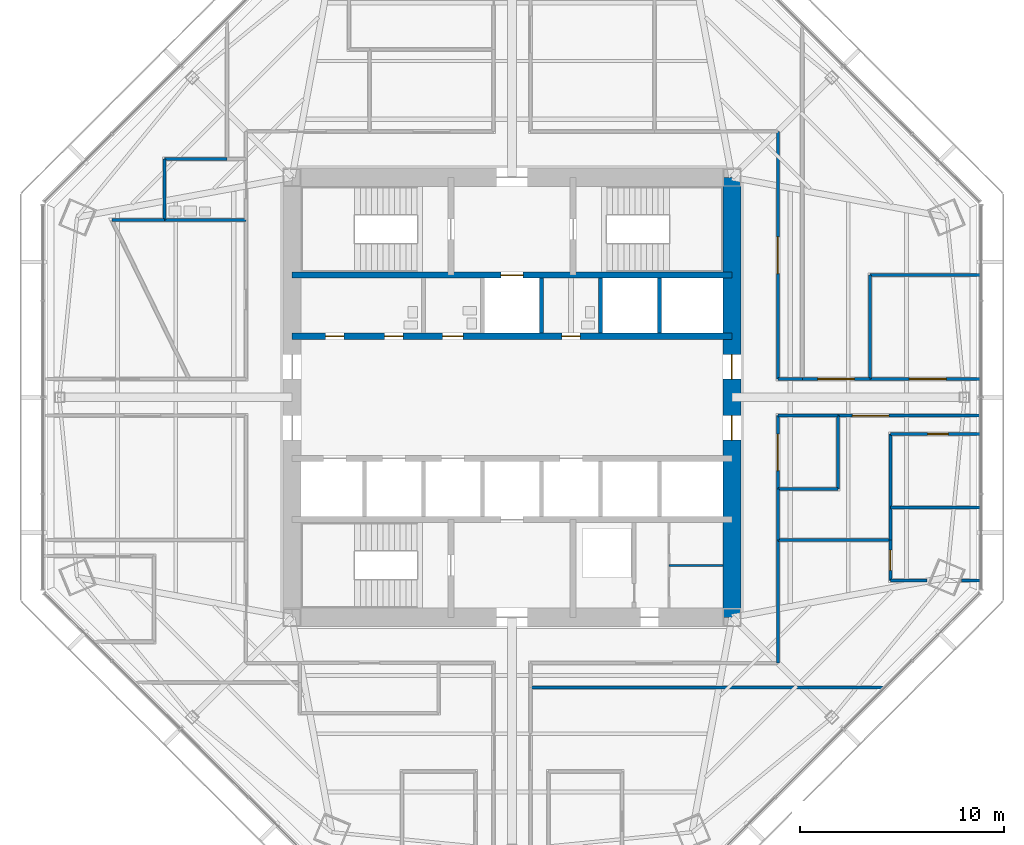
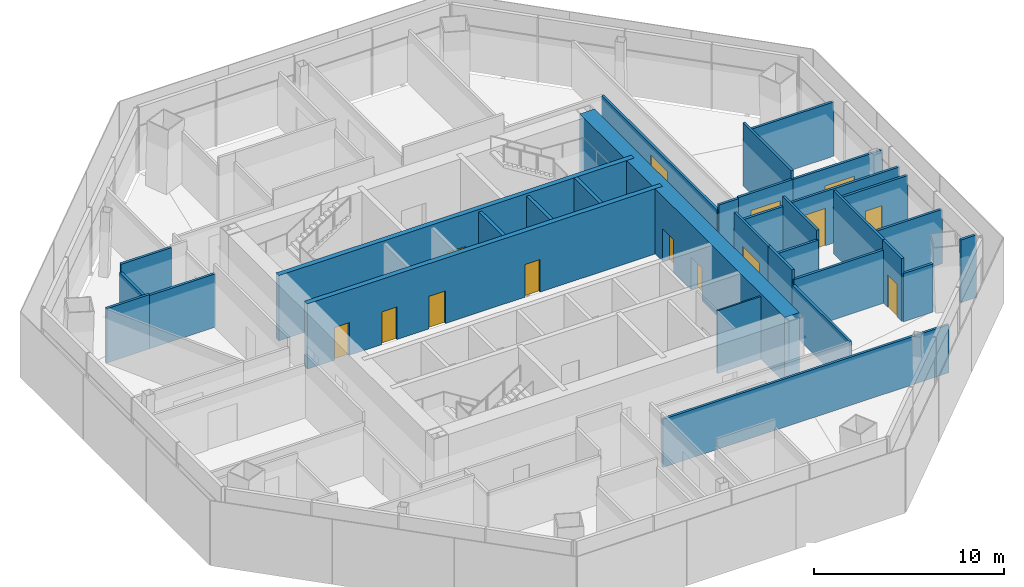
# One storey, part 10 of 15: 32 walls, 14 doors, 14 openings.
"""IFC4 building model written with IfcOpenShell, lengths in metres."""

from ifc_helpers import new_model, si_unit, direction, frame, frame_2d, origin, place, context, subcontext, project, spatial, rectangle, extrude, material, layer, layer_set, type_object, element, fill, save


model = new_model("IFC4")

# Units and contexts
model_context = context("Model", 3, precision=1e-05, world=origin(), true_north=direction((0.0, 1.0)))
body_context = subcontext(model_context, "Body", "Model", "MODEL_VIEW")
ifc_project = project(units=[si_unit("LENGTHUNIT", "METRE"), si_unit("AREAUNIT", "SQUARE_METRE"), si_unit("VOLUMEUNIT", "CUBIC_METRE"), si_unit("PLANEANGLEUNIT", "RADIAN"), si_unit("MASSUNIT", "GRAM", prefix="KILO")], contexts=[model_context])

# Site, building, storey
site_placement = place(None, origin())
site = spatial("IfcSite", under=ifc_project, at=site_placement, CompositionType="ELEMENT")
building_placement = place(site_placement, origin())
building = spatial("IfcBuilding", under=site, at=building_placement, Name="Mashrafa Tower", CompositionType="ELEMENT")
storey_placement = place(building_placement, frame((0.0, 0.0, 176.39990234375)))
storey = spatial("IfcBuildingStorey", under=building, at=storey_placement, Name="L40", CompositionType="ELEMENT", Elevation=176.39990234375)

# Wall, openings, doors
ifc_material_1 = material(Name="Concrete C60/75", Category="concrete")
ifc_layer_1 = layer(ifc_material_1, 0.300048828125)
ifc_layer_set_1 = layer_set([ifc_layer_1], Name="Core wall 300 C60/75")
wall_type_1 = type_object("IfcWallType", Name="Core wall 300 C60/75", PredefinedType="SOLIDWALL", material=ifc_layer_set_1)
wall_1_placement = place(storey_placement, frame((-10.800048828125, 3.0, 0.0), z_axis=(0.0, 0.0, 1.0), x_axis=(1.0, 0.0, 0.0)))
wall_1 = element("IfcWall", 1, at=wall_1_placement, inside=storey, type_object=wall_type_1, Name="Core wall CH-N L40", PredefinedType="SOLIDWALL", context=body_context, shape_type="SweptSolid", body=[
    extrude(rectangle(XDim=21.60009765625, YDim=0.300048828125, at=frame_2d((10.800048828125, 0.0))), origin(), (0.0, 0.0, 1.0), 4.2001953125),
])
opening_1_placement = place(wall_1_placement, frame((1.64990234375, 0.0, 0.0)))
opening_1 = element("IfcOpeningElement", 2, at=opening_1_placement, cuts=wall_1, Name="Opening 40.037", PredefinedType="OPENING", context=body_context, shape_type="SweptSolid", body=[
    extrude(rectangle(XDim=0.89990234375, YDim=2.10009765625, at=frame_2d((0.449951171875, 1.050048828125))), frame((0.0, 0.159912109375, 0.0), z_axis=(0.0, -1.0, 0.0), x_axis=(1.0, 0.0, 0.0)), (0.0, 0.0, 1.0), 0.320068359375),
])
opening_2_placement = place(wall_1_placement, frame((4.550048828125, 0.0, 0.0)))
opening_2 = element("IfcOpeningElement", 3, at=opening_2_placement, cuts=wall_1, Name="Opening 40.038", PredefinedType="OPENING", context=body_context, shape_type="SweptSolid", body=[
    extrude(rectangle(XDim=0.89990234375, YDim=2.10009765625, at=frame_2d((0.449951171875, 1.050048828125))), frame((0.0, 0.159912109375, 0.0), z_axis=(0.0, -1.0, 0.0), x_axis=(1.0, 0.0, 0.0)), (0.0, 0.0, 1.0), 0.320068359375),
])
opening_3_placement = place(wall_1_placement, frame((7.39990234375, 0.0, 0.0)))
opening_3 = element("IfcOpeningElement", 4, at=opening_3_placement, cuts=wall_1, Name="Opening 40.039", PredefinedType="OPENING", context=body_context, shape_type="SweptSolid", body=[
    extrude(rectangle(XDim=1.0, YDim=2.10009765625, at=frame_2d((0.5, 1.050048828125))), frame((0.0, 0.159912109375, 0.0), z_axis=(0.0, -1.0, 0.0), x_axis=(1.0, 0.0, 0.0)), (0.0, 0.0, 1.0), 0.320068359375),
])
opening_4_placement = place(wall_1_placement, frame((13.25, 0.0, 0.0)))
opening_4 = element("IfcOpeningElement", 5, at=opening_4_placement, cuts=wall_1, Name="Opening 40.040", PredefinedType="OPENING", context=body_context, shape_type="SweptSolid", body=[
    extrude(rectangle(XDim=0.89990234375, YDim=2.10009765625, at=frame_2d((0.449951171875, 1.050048828125))), frame((0.0, 0.159912109375, 0.0), z_axis=(0.0, -1.0, 0.0), x_axis=(1.0, 0.0, 0.0)), (0.0, 0.0, 1.0), 0.320068359375),
])
ifc_material_2 = material(Name="Timber door", Category="wood")
door_type_1 = type_object("IfcDoorType", Name="Accessible toilet door 1000 x 2100", OperationType="USERDEFINED", PredefinedType="DOOR", material=ifc_material_2)
door_1_placement = place(opening_3_placement, origin())
door_1 = element("IfcDoor", 6, at=door_1_placement, inside=storey, type_object=door_type_1, Name="Accessible WC L40 door", OperationType="SINGLE_SWING_LEFT", OverallHeight=2.10009765625, OverallWidth=1.0, PredefinedType="DOOR", context=body_context, shape_type="SweptSolid", body=[
    extrude(rectangle(XDim=1.0, YDim=2.10009765625, at=frame_2d((0.5, 1.050048828125))), frame((0.0, 0.02490234375, 0.0), z_axis=(0.0, -1.0, 0.0), x_axis=(1.0, 0.0, 0.0)), (0.0, 0.0, 1.0), 0.050048828125),
])
fill(opening_3, door_1)
ifc_material_3 = material(Name="Timber door", Category="wood")
door_type_2 = type_object("IfcDoorType", Name="Toilet door 900 x 2100", OperationType="USERDEFINED", PredefinedType="DOOR", material=ifc_material_3)
door_2_placement = place(opening_1_placement, origin())
door_2 = element("IfcDoor", 7, at=door_2_placement, inside=storey, type_object=door_type_2, Name="WC Female L40 door", OperationType="SINGLE_SWING_LEFT", OverallHeight=2.10009765625, OverallWidth=0.89990234375, PredefinedType="DOOR", context=body_context, shape_type="SweptSolid", body=[
    extrude(rectangle(XDim=0.89990234375, YDim=2.10009765625, at=frame_2d((0.449951171875, 1.050048828125))), frame((0.0, 0.02490234375, 0.0), z_axis=(0.0, -1.0, 0.0), x_axis=(1.0, 0.0, 0.0)), (0.0, 0.0, 1.0), 0.050048828125),
])
fill(opening_1, door_2)
door_3_placement = place(opening_2_placement, origin())
door_3 = element("IfcDoor", 8, at=door_3_placement, inside=storey, type_object=door_type_2, Name="WC Female L40 door", OperationType="SINGLE_SWING_RIGHT", OverallHeight=2.10009765625, OverallWidth=0.89990234375, PredefinedType="DOOR", context=body_context, shape_type="SweptSolid", body=[
    extrude(rectangle(XDim=0.89990234375, YDim=2.10009765625, at=frame_2d((0.449951171875, 1.050048828125))), frame((0.0, 0.02490234375, 0.0), z_axis=(0.0, -1.0, 0.0), x_axis=(1.0, 0.0, 0.0)), (0.0, 0.0, 1.0), 0.050048828125),
])
fill(opening_2, door_3)
door_4_placement = place(opening_4_placement, origin())
door_4 = element("IfcDoor", 9, at=door_4_placement, inside=storey, type_object=door_type_2, Name="WC Male L40 door", OperationType="SINGLE_SWING_LEFT", OverallHeight=2.10009765625, OverallWidth=0.89990234375, PredefinedType="DOOR", context=body_context, shape_type="SweptSolid", body=[
    extrude(rectangle(XDim=0.89990234375, YDim=2.10009765625, at=frame_2d((0.449951171875, 1.050048828125))), frame((0.0, 0.02490234375, 0.0), z_axis=(0.0, -1.0, 0.0), x_axis=(1.0, 0.0, 0.0)), (0.0, 0.0, 1.0), 0.050048828125),
])
fill(opening_4, door_4)

# Wall, opening, door
wall_2_placement = place(storey_placement, frame((-10.800048828125, 6.0, 0.0), z_axis=(0.0, 0.0, 1.0), x_axis=(1.0, 0.0, 0.0)))
wall_2 = element("IfcWall", 10, at=wall_2_placement, inside=storey, type_object=wall_type_1, Name="Core wall CB-N L40", PredefinedType="SOLIDWALL", context=body_context, shape_type="SweptSolid", body=[
    extrude(rectangle(XDim=21.60009765625, YDim=0.300048828125, at=frame_2d((10.800048828125, 0.0))), origin(), (0.0, 0.0, 1.0), 4.2001953125),
])
opening_5_placement = place(wall_2_placement, frame((10.25, 0.0, 0.0)))
opening_5 = element("IfcOpeningElement", 11, at=opening_5_placement, cuts=wall_2, Name="Opening 40.F1", PredefinedType="OPENING", context=body_context, shape_type="SweptSolid", body=[
    extrude(rectangle(XDim=1.10009765625, YDim=2.10009765625, at=frame_2d((0.550048828125, 1.050048828125))), frame((0.0, 0.159912109375, 0.0), z_axis=(0.0, -1.0, 0.0), x_axis=(1.0, 0.0, 0.0)), (0.0, 0.0, 1.0), 0.320068359375),
])
ifc_material_4 = material(Name="Steel door", Category="steel")
door_type_3 = type_object("IfcDoorType", Name="Lift landing door 1100 x 2100 90 min", OperationType="DOUBLE_DOOR_SLIDING", PredefinedType="DOOR", material=ifc_material_4)
door_5_placement = place(opening_5_placement, origin())
door_5 = element("IfcDoor", 12, at=door_5_placement, inside=storey, type_object=door_type_3, Name="Lift landing door F1 L40", OperationType="DOUBLE_DOOR_SLIDING", OverallHeight=2.10009765625, OverallWidth=1.10009765625, PredefinedType="DOOR", context=body_context, shape_type="SweptSolid", body=[
    extrude(rectangle(XDim=1.10009765625, YDim=2.10009765625, at=frame_2d((0.550048828125, 1.050048828125))), frame((0.0, 0.02490234375, 0.0), z_axis=(0.0, -1.0, 0.0), x_axis=(1.0, 0.0, 0.0)), (0.0, 0.0, 1.0), 0.050048828125),
])
fill(opening_5, door_5)

# Wall, openings, doors
ifc_material_5 = material(Name="Concrete C60/75", Category="concrete")
ifc_layer_2 = layer(ifc_material_5, 0.89990234375)
ifc_layer_set_2 = layer_set([ifc_layer_2], Name="Core wall 900 C60/75")
wall_type_2 = type_object("IfcWallType", Name="Core wall 900 C60/75", PredefinedType="SOLIDWALL", material=ifc_layer_set_2)
wall_3_placement = place(storey_placement, frame((10.800048828125, -10.800048828125, 0.0), z_axis=(0.0, 0.0, 1.0), x_axis=(0.0, 1.0, 0.0)))
wall_3 = element("IfcWall", 13, at=wall_3_placement, inside=storey, type_object=wall_type_2, Name="Core wall CW-E L40", PredefinedType="SOLIDWALL", context=body_context, shape_type="SweptSolid", body=[
    extrude(rectangle(XDim=21.60009765625, YDim=0.89990234375, at=frame_2d((10.800048828125, 0.0))), origin(), (0.0, 0.0, 1.0), 4.2001953125),
])
opening_6_placement = place(wall_3_placement, frame((11.699951171875, 0.0, 0.0)))
opening_6 = element("IfcOpeningElement", 14, at=opening_6_placement, cuts=wall_3, Name="Opening 40.024", PredefinedType="OPENING", context=body_context, shape_type="SweptSolid", body=[
    extrude(rectangle(XDim=1.199951171875, YDim=2.10009765625, at=frame_2d((0.60009765625, 1.050048828125))), frame((0.0, 0.4599609375, 0.0), z_axis=(0.0, -1.0, 0.0), x_axis=(1.0, 0.0, 0.0)), (0.0, 0.0, 1.0), 0.919921875),
])
opening_7_placement = place(wall_3_placement, frame((8.699951171875, 0.0, 0.0)))
opening_7 = element("IfcOpeningElement", 15, at=opening_7_placement, cuts=wall_3, Name="Opening 40.026", PredefinedType="OPENING", context=body_context, shape_type="SweptSolid", body=[
    extrude(rectangle(XDim=1.199951171875, YDim=2.10009765625, at=frame_2d((0.60009765625, 1.050048828125))), frame((0.0, 0.4599609375, 0.0), z_axis=(0.0, -1.0, 0.0), x_axis=(1.0, 0.0, 0.0)), (0.0, 0.0, 1.0), 0.919921875),
])
ifc_material_6 = material(Name="Steel door", Category="steel")
door_type_4 = type_object("IfcDoorType", Name="Lift hall door 1200 x 2100 90 min", OperationType="USERDEFINED", PredefinedType="DOOR", material=ifc_material_6)
door_6_placement = place(opening_6_placement, frame((1.199951171875, 0.0, 0.0), z_axis=(0.0, 0.0, 1.0), x_axis=(-1.0, 0.0, 0.0)))
door_6 = element("IfcDoor", 16, at=door_6_placement, inside=storey, type_object=door_type_4, Name="Lift hall door east L40", OperationType="SINGLE_SWING_LEFT", OverallHeight=2.10009765625, OverallWidth=1.199951171875, PredefinedType="DOOR", context=body_context, shape_type="SweptSolid", body=[
    extrude(rectangle(XDim=1.199951171875, YDim=2.10009765625, at=frame_2d((0.60009765625, 1.050048828125))), frame((0.0, 0.02490234375, 0.0), z_axis=(0.0, -1.0, 0.0), x_axis=(1.0, 0.0, 0.0)), (0.0, 0.0, 1.0), 0.050048828125),
])
fill(opening_6, door_6)
door_7_placement = place(opening_7_placement, frame((1.199951171875, 0.0, 0.0), z_axis=(0.0, 0.0, 1.0), x_axis=(-1.0, 0.0, 0.0)))
door_7 = element("IfcDoor", 17, at=door_7_placement, inside=storey, type_object=door_type_4, Name="Lift hall door east L40", OperationType="SINGLE_SWING_LEFT", OverallHeight=2.10009765625, OverallWidth=1.199951171875, PredefinedType="DOOR", context=body_context, shape_type="SweptSolid", body=[
    extrude(rectangle(XDim=1.199951171875, YDim=2.10009765625, at=frame_2d((0.60009765625, 1.050048828125))), frame((0.0, 0.02490234375, 0.0), z_axis=(0.0, -1.0, 0.0), x_axis=(1.0, 0.0, 0.0)), (0.0, 0.0, 1.0), 0.050048828125),
])
fill(opening_7, door_7)

# Wall, opening, door
ifc_material_7 = material(Name="Gypsum board on steel studs", Category="steel")
ifc_layer_3 = layer(ifc_material_7, 0.14990234375)
ifc_layer_set_3 = layer_set([ifc_layer_3], Name="Corridor partition 150 1 hr")
wall_type_3 = type_object("IfcWallType", Name="Corridor partition 150 1 hr", PredefinedType="PARTITIONING", material=ifc_layer_set_3)
wall_4_placement = place(storey_placement, frame((23.008544921875, 0.89990234375, 0.0), z_axis=(0.0, 0.0, 1.0), x_axis=(-1.0, 0.0, 0.0)))
wall_4 = element("IfcWall", 18, at=wall_4_placement, inside=storey, type_object=wall_type_3, Name="Corridor wall L40-005", PredefinedType="PARTITIONING", context=body_context, shape_type="SweptSolid", body=[
    extrude(rectangle(XDim=5.43505859375, YDim=0.14990234375, at=frame_2d((2.717529296875, 0.0))), origin(), (0.0, 0.0, 1.0), 3.49169921875),
])
opening_8_placement = place(wall_4_placement, frame((1.699462890625, 0.0, 0.0)))
opening_8 = element("IfcOpeningElement", 19, at=opening_8_placement, cuts=wall_4, Name="Opening 40.004", PredefinedType="OPENING", context=body_context, shape_type="SweptSolid", body=[
    extrude(rectangle(XDim=1.800048828125, YDim=2.39990234375, at=frame_2d((0.89990234375, 1.199951171875))), frame((0.0, 0.0849609375, 0.0), z_axis=(0.0, -1.0, 0.0), x_axis=(1.0, 0.0, 0.0)), (0.0, 0.0, 1.0), 0.169921875),
])
ifc_material_8 = material(Name="Timber door", Category="wood")
door_type_5 = type_object("IfcDoorType", Name="Door pair 1800 x 2400", OperationType="DOUBLE_DOOR_SINGLE_SWING", PredefinedType="DOOR", material=ifc_material_8)
door_8_placement = place(opening_8_placement, frame((1.800048828125, 0.0, 0.0), z_axis=(0.0, 0.0, 1.0), x_axis=(-1.0, 0.0, 0.0)))
door_8 = element("IfcDoor", 20, at=door_8_placement, inside=storey, type_object=door_type_5, Name="Guest Majlis 40 door", OperationType="DOUBLE_DOOR_SINGLE_SWING", OverallHeight=2.39990234375, OverallWidth=1.800048828125, PredefinedType="DOOR", context=body_context, shape_type="SweptSolid", body=[
    extrude(rectangle(XDim=1.800048828125, YDim=2.39990234375, at=frame_2d((0.89990234375, 1.199951171875))), frame((0.0, 0.02490234375, 0.0), z_axis=(0.0, -1.0, 0.0), x_axis=(1.0, 0.0, 0.0)), (0.0, 0.0, 1.0), 0.050048828125),
])
fill(opening_8, door_8)

wall_5_placement = place(storey_placement, frame((13.050048828125, -4.5009765625, 0.0), z_axis=(0.0, 0.0, 1.0), x_axis=(0.0, 1.0, 0.0)))
wall_5 = element("IfcWall", 21, at=wall_5_placement, inside=storey, type_object=wall_type_3, Name="Corridor wall L40-007", PredefinedType="PARTITIONING", context=body_context, shape_type="SweptSolid", body=[
    extrude(rectangle(XDim=3.60107421875, YDim=0.14990234375, at=frame_2d((1.800537109375, 0.0))), origin(), (0.0, 0.0, 1.0), 4.03515625),
])
opening_9_placement = place(wall_5_placement, frame((0.900390625, 0.0, 0.0)))
opening_9 = element("IfcOpeningElement", 22, at=opening_9_placement, cuts=wall_5, Name="Opening 40.007", PredefinedType="OPENING", context=body_context, shape_type="SweptSolid", body=[
    extrude(rectangle(XDim=1.800048828125, YDim=2.39990234375, at=frame_2d((0.89990234375, 1.199951171875))), frame((0.0, 0.0849609375, 0.0), z_axis=(0.0, -1.0, 0.0), x_axis=(1.0, 0.0, 0.0)), (0.0, 0.0, 1.0), 0.169921875),
])
ifc_material_9 = material(Name="Steel door", Category="steel")
door_type_6 = type_object("IfcDoorType", Name="Door pair 1800 x 2400 90 min", OperationType="DOUBLE_DOOR_SINGLE_SWING", PredefinedType="DOOR", material=ifc_material_9)
door_9_placement = place(opening_9_placement, origin())
door_9 = element("IfcDoor", 23, at=door_9_placement, inside=storey, type_object=door_type_6, Name="Executive Reception 40 door", OperationType="DOUBLE_DOOR_SINGLE_SWING", OverallHeight=2.39990234375, OverallWidth=1.800048828125, PredefinedType="DOOR", context=body_context, shape_type="SweptSolid", body=[
    extrude(rectangle(XDim=1.800048828125, YDim=2.39990234375, at=frame_2d((0.89990234375, 1.199951171875))), frame((0.0, 0.02490234375, 0.0), z_axis=(0.0, -1.0, 0.0), x_axis=(1.0, 0.0, 0.0)), (0.0, 0.0, 1.0), 0.050048828125),
])
fill(opening_9, door_9)

# Wall
wall_6_placement = place(storey_placement, frame((13.050048828125, -0.89990234375, 0.0), z_axis=(0.0, 0.0, 1.0), x_axis=(1.0, 0.0, 0.0)))
element("IfcWall", 24, at=wall_6_placement, inside=storey, type_object=wall_type_3, Name="Corridor wall L40-008", PredefinedType="PARTITIONING", context=body_context, shape_type="SweptSolid", body=[
    extrude(rectangle(XDim=2.950927734375, YDim=0.14990234375, at=frame_2d((1.4755859375, 0.0))), origin(), (0.0, 0.0, 1.0), 3.42578125),
])

# Wall, opening, door
wall_7_placement = place(storey_placement, frame((17.57568359375, 0.89990234375, 0.0), z_axis=(0.0, 0.0, 1.0), x_axis=(-1.0, 0.0, 0.0)))
wall_7 = element("IfcWall", 25, at=wall_7_placement, inside=storey, type_object=wall_type_3, Name="Corridor wall L40-009", PredefinedType="PARTITIONING", context=body_context, shape_type="SweptSolid", body=[
    extrude(rectangle(XDim=3.32666015625, YDim=0.14990234375, at=frame_2d((1.663330078125, 0.0))), origin(), (0.0, 0.0, 1.0), 3.499267578125),
])
opening_10_placement = place(wall_7_placement, frame((0.76318359375, 0.0, 0.0)))
opening_10 = element("IfcOpeningElement", 26, at=opening_10_placement, cuts=wall_7, Name="Opening 40.012", PredefinedType="OPENING", context=body_context, shape_type="SweptSolid", body=[
    extrude(rectangle(XDim=1.800048828125, YDim=2.39990234375, at=frame_2d((0.89990234375, 1.199951171875))), frame((0.0, 0.0849609375, 0.0), z_axis=(0.0, -1.0, 0.0), x_axis=(1.0, 0.0, 0.0)), (0.0, 0.0, 1.0), 0.169921875),
])
door_10_placement = place(opening_10_placement, frame((1.800048828125, 0.0, 0.0), z_axis=(0.0, 0.0, 1.0), x_axis=(-1.0, 0.0, 0.0)))
door_10 = element("IfcDoor", 27, at=door_10_placement, inside=storey, type_object=door_type_5, Name="Board Secretariat Office 40-NE3 door", OperationType="DOUBLE_DOOR_SINGLE_SWING", OverallHeight=2.39990234375, OverallWidth=1.800048828125, PredefinedType="DOOR", context=body_context, shape_type="SweptSolid", body=[
    extrude(rectangle(XDim=1.800048828125, YDim=2.39990234375, at=frame_2d((0.89990234375, 1.199951171875))), frame((0.0, 0.02490234375, 0.0), z_axis=(0.0, -1.0, 0.0), x_axis=(1.0, 0.0, 0.0)), (0.0, 0.0, 1.0), 0.050048828125),
])
fill(opening_10, door_10)

# Wall
wall_8_placement = place(storey_placement, frame((14.2509765625, 0.89990234375, 0.0), z_axis=(0.0, 0.0, 1.0), x_axis=(-1.0, 0.0, 0.0)))
element("IfcWall", 28, at=wall_8_placement, inside=storey, type_object=wall_type_3, Name="Corridor wall L40-010", PredefinedType="PARTITIONING", context=body_context, shape_type="SweptSolid", body=[
    extrude(rectangle(XDim=1.200927734375, YDim=0.14990234375, at=frame_2d((0.6005859375, 0.0))), origin(), (0.0, 0.0, 1.0), 3.42578125),
])

# Wall, opening, door
wall_9_placement = place(storey_placement, frame((13.050048828125, 0.89990234375, 0.0), z_axis=(0.0, 0.0, 1.0), x_axis=(0.0, 1.0, 0.0)))
wall_9 = element("IfcWall", 29, at=wall_9_placement, inside=storey, type_object=wall_type_3, Name="Corridor wall L40-011", PredefinedType="PARTITIONING", context=body_context, shape_type="SweptSolid", body=[
    extrude(rectangle(XDim=12.150146484375, YDim=0.14990234375, at=frame_2d((6.0751953125, 0.0))), origin(), (0.0, 0.0, 1.0), 3.097900390625),
])
opening_11_placement = place(wall_9_placement, frame((5.175048828125, 0.0, 0.0)))
opening_11 = element("IfcOpeningElement", 30, at=opening_11_placement, cuts=wall_9, Name="Opening 40.013", PredefinedType="OPENING", context=body_context, shape_type="SweptSolid", body=[
    extrude(rectangle(XDim=1.800048828125, YDim=2.39990234375, at=frame_2d((0.89990234375, 1.199951171875))), frame((0.0, 0.0849609375, 0.0), z_axis=(0.0, -1.0, 0.0), x_axis=(1.0, 0.0, 0.0)), (0.0, 0.0, 1.0), 0.169921875),
])
door_11_placement = place(opening_11_placement, frame((1.800048828125, 0.0, 0.0), z_axis=(0.0, 0.0, 1.0), x_axis=(-1.0, 0.0, 0.0)))
door_11 = element("IfcDoor", 31, at=door_11_placement, inside=storey, type_object=door_type_5, Name="Corporate Affairs Office 40-NE2 door", OperationType="DOUBLE_DOOR_SINGLE_SWING", OverallHeight=2.39990234375, OverallWidth=1.800048828125, PredefinedType="DOOR", context=body_context, shape_type="SweptSolid", body=[
    extrude(rectangle(XDim=1.800048828125, YDim=2.39990234375, at=frame_2d((0.89990234375, 1.199951171875))), frame((0.0, 0.02490234375, 0.0), z_axis=(0.0, -1.0, 0.0), x_axis=(1.0, 0.0, 0.0)), (0.0, 0.0, 1.0), 0.050048828125),
])
fill(opening_11, door_11)

# Walls
wall_10_placement = place(storey_placement, frame((13.050048828125, -13.050048828125, 0.0), z_axis=(0.0, 0.0, 1.0), x_axis=(0.0, 1.0, 0.0)))
element("IfcWall", 32, at=wall_10_placement, inside=storey, type_object=wall_type_3, Name="Corridor wall L40-029", PredefinedType="PARTITIONING", context=body_context, shape_type="SweptSolid", body=[
    extrude(rectangle(XDim=6.051025390625, YDim=0.14990234375, at=frame_2d((3.025390625, 0.0))), origin(), (0.0, 0.0, 1.0), 3.097900390625),
])
wall_11_placement = place(storey_placement, frame((13.050048828125, -7.0009765625, 0.0), z_axis=(0.0, 0.0, 1.0), x_axis=(0.0, 1.0, 0.0)))
element("IfcWall", 33, at=wall_11_placement, inside=storey, type_object=wall_type_3, Name="Corridor wall L40-030", PredefinedType="PARTITIONING", context=body_context, shape_type="SweptSolid", body=[
    extrude(rectangle(XDim=2.501953125, YDim=0.14990234375, at=frame_2d((1.2509765625, 0.0))), origin(), (0.0, 0.0, 1.0), 4.03515625),
])

# Wall, opening, door
wall_12_placement = place(storey_placement, frame((15.9990234375, -0.89990234375, 0.0), z_axis=(0.0, 0.0, 1.0), x_axis=(1.0, 0.0, 0.0)))
wall_12 = element("IfcWall", 34, at=wall_12_placement, inside=storey, type_object=wall_type_3, Name="Corridor wall L40-031", PredefinedType="PARTITIONING", context=body_context, shape_type="SweptSolid", body=[
    extrude(rectangle(XDim=7.009521484375, YDim=0.14990234375, at=frame_2d((3.5048828125, 0.0))), origin(), (0.0, 0.0, 1.0), 3.49169921875),
])
opening_12_placement = place(wall_12_placement, frame((0.707763671875, 0.0, 0.0)))
opening_12 = element("IfcOpeningElement", 35, at=opening_12_placement, cuts=wall_12, Name="Opening 40.023", PredefinedType="OPENING", context=body_context, shape_type="SweptSolid", body=[
    extrude(rectangle(XDim=1.800048828125, YDim=2.39990234375, at=frame_2d((0.89990234375, 1.199951171875))), frame((0.0, 0.0849609375, 0.0), z_axis=(0.0, -1.0, 0.0), x_axis=(1.0, 0.0, 0.0)), (0.0, 0.0, 1.0), 0.169921875),
])
door_12_placement = place(opening_12_placement, frame((1.800048828125, 0.0, 0.0), z_axis=(0.0, 0.0, 1.0), x_axis=(-1.0, 0.0, 0.0)))
door_12 = element("IfcDoor", 36, at=door_12_placement, inside=storey, type_object=door_type_5, Name="General Counsel's Office 40-SE1 door", OperationType="DOUBLE_DOOR_SINGLE_SWING", OverallHeight=2.39990234375, OverallWidth=1.800048828125, PredefinedType="DOOR", context=body_context, shape_type="SweptSolid", body=[
    extrude(rectangle(XDim=1.800048828125, YDim=2.39990234375, at=frame_2d((0.89990234375, 1.199951171875))), frame((0.0, 0.02490234375, 0.0), z_axis=(0.0, -1.0, 0.0), x_axis=(1.0, 0.0, 0.0)), (0.0, 0.0, 1.0), 0.050048828125),
])
fill(opening_12, door_12)

# Walls
wall_13_placement = place(storey_placement, frame((13.050048828125, -4.5, 0.0), z_axis=(0.0, 0.0, 1.0), x_axis=(1.0, 0.0, 0.0)))
element("IfcWall", 37, at=wall_13_placement, inside=storey, type_object=wall_type_3, Name="Corridor wall L40-051", PredefinedType="PARTITIONING", context=body_context, shape_type="SweptSolid", body=[
    extrude(rectangle(XDim=2.949951171875, YDim=0.14990234375, at=frame_2d((1.47509765625, 0.0))), origin(), (0.0, 0.0, 1.0), 3.42578125),
])
wall_14_placement = place(storey_placement, frame((16.0, -4.5, 0.0), z_axis=(0.0, 0.0, 1.0), x_axis=(0.0, 1.0, 0.0)))
element("IfcWall", 38, at=wall_14_placement, inside=storey, type_object=wall_type_3, Name="Corridor wall L40-052", PredefinedType="PARTITIONING", context=body_context, shape_type="SweptSolid", body=[
    extrude(rectangle(XDim=3.60009765625, YDim=0.14990234375, at=frame_2d((1.800048828125, 0.0))), origin(), (0.0, 0.0, 1.0), 4.03515625),
])
ifc_material_10 = material(Name="Gypsum board on steel studs", Category="steel")
ifc_layer_4 = layer(ifc_material_10, 0.10009765625)
ifc_layer_set_4 = layer_set([ifc_layer_4], Name="Partition 100 1 hr")
wall_type_4 = type_object("IfcWallType", Name="Partition 100 1 hr", PredefinedType="PARTITIONING", material=ifc_layer_set_4)
wall_15_placement = place(storey_placement, frame((7.699951171875, -8.25, 0.0), z_axis=(0.0, 0.0, 1.0), x_axis=(1.0, 0.0, 0.0)))
element("IfcWall", 39, at=wall_15_placement, inside=storey, type_object=wall_type_4, Name="Services lobby partition B L40", PredefinedType="PARTITIONING", context=body_context, shape_type="SweptSolid", body=[
    extrude(rectangle(XDim=2.650146484375, YDim=0.10009765625, at=frame_2d((1.3251953125, 0.0))), origin(), (0.0, 0.0, 1.0), 4.03515625),
])
ifc_material_11 = material(Name="Gypsum board on steel studs", Category="steel")
ifc_layer_5 = layer(ifc_material_11, 0.14990234375)
ifc_layer_set_5 = layer_set([ifc_layer_5], Name="Partition 150")
wall_type_5 = type_object("IfcWallType", Name="Partition 150", PredefinedType="PARTITIONING", material=ifc_layer_set_5)
wall_16_placement = place(storey_placement, frame((-13.050048828125, 8.699951171875, 0.0), z_axis=(0.0, 0.0, 1.0), x_axis=(-1.0, 0.0, 0.0)))
element("IfcWall", 40, at=wall_16_placement, inside=storey, type_object=wall_type_5, Name="Partition wall L40-032", PredefinedType="PARTITIONING", context=body_context, shape_type="SweptSolid", body=[
    extrude(rectangle(XDim=4.0009765625, YDim=0.14990234375, at=frame_2d((2.00048828125, 0.0))), origin(), (0.0, 0.0, 1.0), 3.42578125),
])
wall_17_placement = place(storey_placement, frame((-17.049072265625, 8.699951171875, 0.0), z_axis=(0.0, 0.0, 1.0), x_axis=(-1.0, 0.0, 0.0)))
element("IfcWall", 41, at=wall_17_placement, inside=storey, type_object=wall_type_5, Name="Partition wall L40-033", PredefinedType="PARTITIONING", context=body_context, shape_type="SweptSolid", body=[
    extrude(rectangle(XDim=2.600830078125, YDim=0.14990234375, at=frame_2d((1.30029296875, 0.0))), origin(), (0.0, 0.0, 1.0), 3.49169921875),
])
wall_18_placement = place(storey_placement, frame((-13.9990234375, 11.699951171875, 0.0), z_axis=(0.0, 0.0, 1.0), x_axis=(-1.0, 0.0, 0.0)))
element("IfcWall", 42, at=wall_18_placement, inside=storey, type_object=wall_type_5, Name="Partition wall L40-035", PredefinedType="PARTITIONING", context=body_context, shape_type="SweptSolid", body=[
    extrude(rectangle(XDim=3.051025390625, YDim=0.14990234375, at=frame_2d((1.525390625, 0.0))), origin(), (0.0, 0.0, 1.0), 3.61865234375),
])
wall_19_placement = place(storey_placement, frame((-17.050048828125, 11.699951171875, 0.0), z_axis=(0.0, 0.0, 1.0), x_axis=(0.0, -1.0, 0.0)))
element("IfcWall", 43, at=wall_19_placement, inside=storey, type_object=wall_type_5, Name="Partition wall L40-036", PredefinedType="PARTITIONING", context=body_context, shape_type="SweptSolid", body=[
    extrude(rectangle(XDim=3.0, YDim=0.14990234375, at=frame_2d((1.5, 0.0))), origin(), (0.0, 0.0, 1.0), 3.097900390625),
])
wall_20_placement = place(storey_placement, frame((23.006591796875, 6.0, 0.0), z_axis=(0.0, 0.0, 1.0), x_axis=(-1.0, 0.0, 0.0)))
element("IfcWall", 44, at=wall_20_placement, inside=storey, type_object=wall_type_5, Name="Partition wall L40-042", PredefinedType="PARTITIONING", context=body_context, shape_type="SweptSolid", body=[
    extrude(rectangle(XDim=5.431884765625, YDim=0.14990234375, at=frame_2d((2.7158203125, 0.0))), origin(), (0.0, 0.0, 1.0), 3.49169921875),
])
wall_21_placement = place(storey_placement, frame((17.57470703125, 6.0, 0.0), z_axis=(0.0, 0.0, 1.0), x_axis=(0.0, -1.0, 0.0)))
element("IfcWall", 45, at=wall_21_placement, inside=storey, type_object=wall_type_5, Name="Partition wall L40-043", PredefinedType="PARTITIONING", context=body_context, shape_type="SweptSolid", body=[
    extrude(rectangle(XDim=5.10009765625, YDim=0.14990234375, at=frame_2d((2.550048828125, 0.0))), origin(), (0.0, 0.0, 1.0), 4.03515625),
])
wall_22_placement = place(storey_placement, frame((23.006591796875, -5.39990234375, 0.0), z_axis=(0.0, 0.0, 1.0), x_axis=(-1.0, 0.0, 0.0)))
element("IfcWall", 46, at=wall_22_placement, inside=storey, type_object=wall_type_5, Name="Partition wall L40-053", PredefinedType="PARTITIONING", context=body_context, shape_type="SweptSolid", body=[
    extrude(rectangle(XDim=4.431884765625, YDim=0.14990234375, at=frame_2d((2.2158203125, 0.0))), origin(), (0.0, 0.0, 1.0), 3.49169921875),
])

# Wall, opening, door
wall_23_placement = place(storey_placement, frame((18.57470703125, -6.9990234375, 0.0), z_axis=(0.0, 0.0, 1.0), x_axis=(0.0, -1.0, 0.0)))
wall_23 = element("IfcWall", 47, at=wall_23_placement, inside=storey, type_object=wall_type_5, Name="Partition wall L40-054", PredefinedType="PARTITIONING", context=body_context, shape_type="SweptSolid", body=[
    extrude(rectangle(XDim=2.0009765625, YDim=0.14990234375, at=frame_2d((1.00048828125, 0.0))), origin(), (0.0, 0.0, 1.0), 4.03515625),
])
opening_13_placement = place(wall_23_placement, frame((0.50048828125, 0.0, 0.0)))
opening_13 = element("IfcOpeningElement", 48, at=opening_13_placement, cuts=wall_23, Name="Opening 40.008", PredefinedType="OPENING", context=body_context, shape_type="SweptSolid", body=[
    extrude(rectangle(XDim=1.0, YDim=2.10009765625, at=frame_2d((0.5, 1.050048828125))), frame((0.0, 0.0849609375, 0.0), z_axis=(0.0, -1.0, 0.0), x_axis=(1.0, 0.0, 0.0)), (0.0, 0.0, 1.0), 0.169921875),
])
ifc_material_12 = material(Name="Timber door", Category="wood")
door_type_7 = type_object("IfcDoorType", Name="Door 1000 x 2100", OperationType="USERDEFINED", PredefinedType="DOOR", material=ifc_material_12)
door_13_placement = place(opening_13_placement, origin())
door_13 = element("IfcDoor", 49, at=door_13_placement, inside=storey, type_object=door_type_7, Name="Executive Office 40-SE2 door", OperationType="SINGLE_SWING_RIGHT", OverallHeight=2.10009765625, OverallWidth=1.0, PredefinedType="DOOR", context=body_context, shape_type="SweptSolid", body=[
    extrude(rectangle(XDim=1.0, YDim=2.10009765625, at=frame_2d((0.5, 1.050048828125))), frame((0.0, 0.02490234375, 0.0), z_axis=(0.0, -1.0, 0.0), x_axis=(1.0, 0.0, 0.0)), (0.0, 0.0, 1.0), 0.050048828125),
])
fill(opening_13, door_13)

# Walls
wall_24_placement = place(storey_placement, frame((18.57470703125, -9.0, 0.0), z_axis=(0.0, 0.0, 1.0), x_axis=(1.0, 0.0, 0.0)))
element("IfcWall", 50, at=wall_24_placement, inside=storey, type_object=wall_type_5, Name="Partition wall L40-055", PredefinedType="PARTITIONING", context=body_context, shape_type="SweptSolid", body=[
    extrude(rectangle(XDim=1.78857421875, YDim=0.14990234375, at=frame_2d((0.894287109375, 0.0))), origin(), (0.0, 0.0, 1.0), 3.097900390625),
])
wall_25_placement = place(storey_placement, frame((22.0595703125, -9.0, 0.0), z_axis=(0.0, 0.0, 1.0), x_axis=(1.0, 0.0, 0.0)))
element("IfcWall", 51, at=wall_25_placement, inside=storey, type_object=wall_type_5, Name="Partition wall L40-056", PredefinedType="PARTITIONING", context=body_context, shape_type="SweptSolid", body=[
    extrude(rectangle(XDim=0.947021484375, YDim=0.14990234375, at=frame_2d((0.4736328125, 0.0))), origin(), (0.0, 0.0, 1.0), 4.03515625),
])
wall_26_placement = place(storey_placement, frame((18.57470703125, -7.0009765625, 0.0), z_axis=(0.0, 0.0, 1.0), x_axis=(0.0, 1.0, 0.0)))
element("IfcWall", 52, at=wall_26_placement, inside=storey, type_object=wall_type_5, Name="Partition wall L40-057", PredefinedType="PARTITIONING", context=body_context, shape_type="SweptSolid", body=[
    extrude(rectangle(XDim=5.200927734375, YDim=0.14990234375, at=frame_2d((2.6005859375, 0.0))), origin(), (0.0, 0.0, 1.0), 4.03515625),
])

# Wall, opening, door
wall_27_placement = place(storey_placement, frame((23.008544921875, -1.800048828125, 0.0), z_axis=(0.0, 0.0, 1.0), x_axis=(-1.0, 0.0, 0.0)))
wall_27 = element("IfcWall", 53, at=wall_27_placement, inside=storey, type_object=wall_type_5, Name="Partition wall L40-058", PredefinedType="PARTITIONING", context=body_context, shape_type="SweptSolid", body=[
    extrude(rectangle(XDim=4.433837890625, YDim=0.14990234375, at=frame_2d((2.216796875, 0.0))), origin(), (0.0, 0.0, 1.0), 3.49169921875),
])
opening_14_placement = place(wall_27_placement, frame((1.59912109375, 0.0, 0.0)))
opening_14 = element("IfcOpeningElement", 54, at=opening_14_placement, cuts=wall_27, Name="Opening 40.009", PredefinedType="OPENING", context=body_context, shape_type="SweptSolid", body=[
    extrude(rectangle(XDim=1.0, YDim=2.10009765625, at=frame_2d((0.5, 1.050048828125))), frame((0.0, 0.0849609375, 0.0), z_axis=(0.0, -1.0, 0.0), x_axis=(1.0, 0.0, 0.0)), (0.0, 0.0, 1.0), 0.169921875),
])
door_14_placement = place(opening_14_placement, origin())
door_14 = element("IfcDoor", 55, at=door_14_placement, inside=storey, type_object=door_type_7, Name="Executive Office 40-SE1 door", OperationType="SINGLE_SWING_LEFT", OverallHeight=2.10009765625, OverallWidth=1.0, PredefinedType="DOOR", context=body_context, shape_type="SweptSolid", body=[
    extrude(rectangle(XDim=1.0, YDim=2.10009765625, at=frame_2d((0.5, 1.050048828125))), frame((0.0, 0.02490234375, 0.0), z_axis=(0.0, -1.0, 0.0), x_axis=(1.0, 0.0, 0.0)), (0.0, 0.0, 1.0), 0.050048828125),
])
fill(opening_14, door_14)

# Walls
wall_28_placement = place(storey_placement, frame((18.287841796875, -14.25, 0.0), z_axis=(0.0, 0.0, 1.0), x_axis=(-1.0, 0.0, 0.0)))
element("IfcWall", 56, at=wall_28_placement, inside=storey, type_object=wall_type_5, Name="Partition wall L40-072", PredefinedType="PARTITIONING", context=body_context, shape_type="SweptSolid", body=[
    extrude(rectangle(XDim=17.387939453125, YDim=0.14990234375, at=frame_2d((8.69384765625, 0.0))), origin(), (0.0, 0.0, 1.0), 3.097900390625),
])
wall_29_placement = place(storey_placement, frame((18.57470703125, -7.0, 0.0), z_axis=(0.0, 0.0, 1.0), x_axis=(-1.0, 0.0, 0.0)))
element("IfcWall", 57, at=wall_29_placement, inside=storey, type_object=wall_type_5, Name="Partition wall L40-073", PredefinedType="PARTITIONING", context=body_context, shape_type="SweptSolid", body=[
    extrude(rectangle(XDim=5.524658203125, YDim=0.14990234375, at=frame_2d((2.76220703125, 0.0))), origin(), (0.0, 0.0, 1.0), 3.42578125),
])
ifc_material_13 = material(Name="Gypsum shaft wall on steel studs", Category="steel")
ifc_layer_6 = layer(ifc_material_13, 0.199951171875)
ifc_layer_set_6 = layer_set([ifc_layer_6], Name="Shaft divider wall 200 2 hr")
wall_type_6 = type_object("IfcWallType", Name="Shaft divider wall 200 2 hr", PredefinedType="PARTITIONING", material=ifc_layer_set_6)
for number, where, z_axis, x_axis, name in (
    (58, (1.449951171875, 3.14990234375, 0.0), (0.0, 0.0, 1.0), (0.0, 1.0, 0.0), "Shaft divider wall N4 L40"),
    (59, (4.35009765625, 3.14990234375, 0.0), (0.0, 0.0, 1.0), (0.0, 1.0, 0.0), "Shaft divider wall N5 L40"),
):
    element("IfcWall", number, at=place(storey_placement, frame(where, z_axis=z_axis, x_axis=x_axis)), inside=storey, type_object=wall_type_6, Name=name, PredefinedType="PARTITIONING", context=body_context, shape_type="SweptSolid", body=[
        extrude(rectangle(XDim=2.7001953125, YDim=0.199951171875, at=frame_2d((1.35009765625, 0.0))), origin(), (0.0, 0.0, 1.0), 4.03515625),
    ])
wall_30_placement = place(storey_placement, frame((7.25, 3.14990234375, 0.0), z_axis=(0.0, 0.0, 1.0), x_axis=(0.0, 1.0, 0.0)))
element("IfcWall", 60, at=wall_30_placement, inside=storey, type_object=wall_type_6, Name="Shaft divider wall N6 L40", PredefinedType="PARTITIONING", context=body_context, shape_type="SweptSolid", body=[
    extrude(rectangle(XDim=2.7001953125, YDim=0.199951171875, at=frame_2d((1.35009765625, 0.0))), origin(), (0.0, 0.0, 1.0), 4.2001953125),
])

save(model, "model.ifc")
